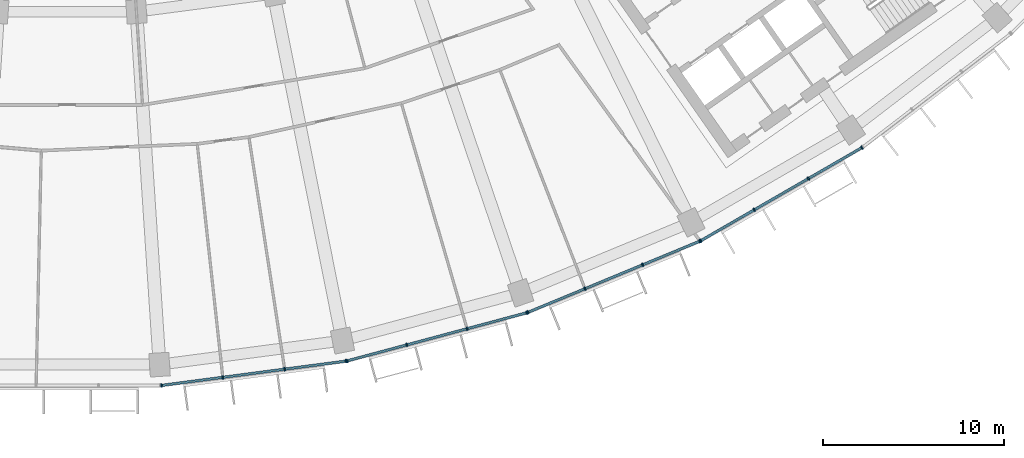
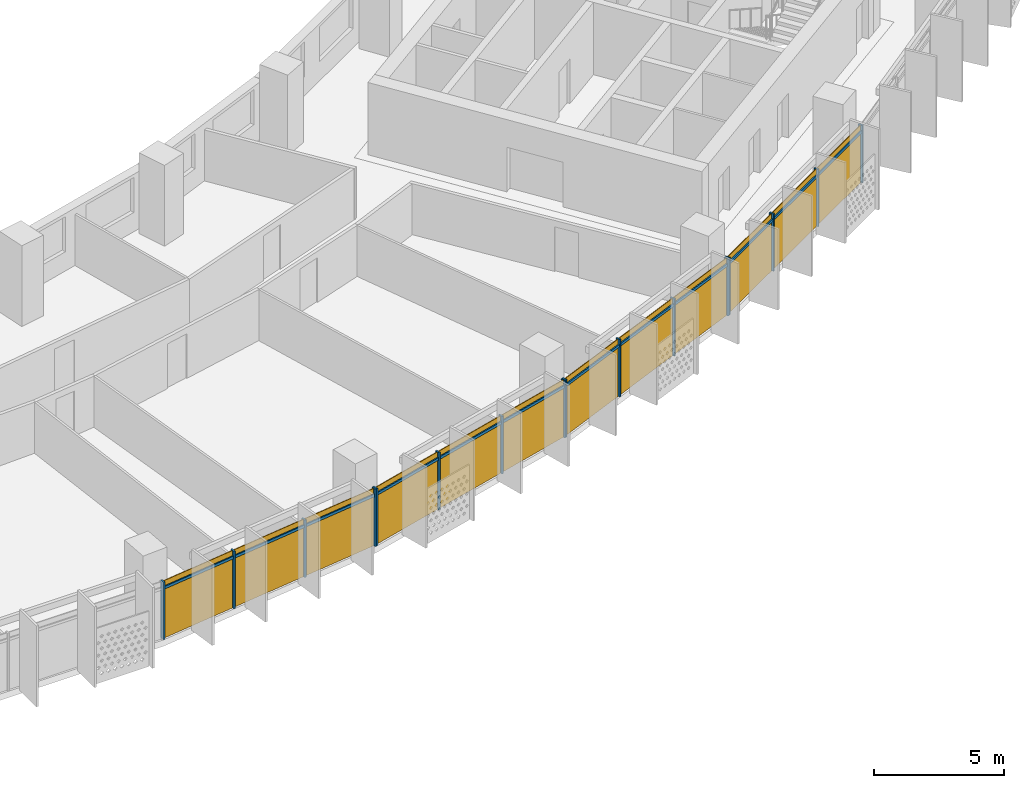
# One storey, part 19 of 27: 28 members, 4 curtain walls.
"""IFC4 building model written with IfcOpenShell, lengths in metres."""

from ifc_helpers import new_model, si_unit, direction, frame, origin, origin_2d, place, context, subcontext, project, spatial, rectangle, extrude, material, material_profile, profile_set, type_object, element, aggregate, save


model = new_model("IFC4")

# Units and contexts
model_context = context("Model", 3, precision=1e-05, world=origin(), true_north=direction((0.0, 1.0)))
body_context = subcontext(model_context, "Body", "Model", "MODEL_VIEW")
ifc_project = project(units=[si_unit("LENGTHUNIT", "METRE"), si_unit("AREAUNIT", "SQUARE_METRE"), si_unit("VOLUMEUNIT", "CUBIC_METRE"), si_unit("PLANEANGLEUNIT", "RADIAN"), si_unit("MASSUNIT", "GRAM", prefix="KILO")], contexts=[model_context])

# Member
ifc_material = material(Name="Aluminium 6063-T6 anodised", Category="aluminium")
ifc_material_profile_1 = material_profile(ifc_material, rectangle(XDim=0.199951171875, YDim=0.070068359375, at=origin_2d()))
ifc_profile_set_1 = profile_set([ifc_material_profile_1], Name="Aluminium 6063-T6 anodised")
member_type_1 = type_object("IfcMemberType", Name="Mullion 70 x 200 aluminium", PredefinedType="MULLION", material=ifc_profile_set_1)
site_placement = place(None, origin())
building_placement = place(site_placement, origin())
storey_placement = place(building_placement, frame((0.0, 0.0, 194.89990234375)))
member_1_placement = place(storey_placement, frame((5.1884765625, -78.72705078125, 0.0), z_axis=(0.0, 0.0, 1.0), x_axis=(-0.13052619222, 0.991444861374, 0.0)))
member_1 = element("IfcMember", 1, at=member_1_placement, type_object=member_type_1, Name="e-cw1-L46-out08/M00", PredefinedType="MULLION", context=body_context, shape_type="SweptSolid", body=[
    extrude(rectangle(XDim=0.199951171875, YDim=0.070068359375, at=origin_2d()), origin(), (0.0, 0.0, 1.0), 2.7001953125),
])

member_2_placement = place(storey_placement, frame((8.56884765625, -78.2822265625, 0.0), z_axis=(0.0, 0.0, 1.0), x_axis=(-0.13052619222, 0.991444861374, 0.0)))
member_2 = element("IfcMember", 2, at=member_2_placement, type_object=member_type_1, Name="e-cw1-L46-out08/M01", PredefinedType="MULLION", context=body_context, shape_type="SweptSolid", body=[
    extrude(rectangle(XDim=0.199951171875, YDim=0.070068359375, at=origin_2d()), origin(), (0.0, 0.0, 1.0), 2.7001953125),
])

member_3_placement = place(storey_placement, frame((11.98388671875, -77.83251953125, 0.0), z_axis=(0.0, 0.0, 1.0), x_axis=(-0.13052619222, 0.991444861374, 0.0)))
member_3 = element("IfcMember", 3, at=member_3_placement, type_object=member_type_1, Name="e-cw1-L46-out08/M02", PredefinedType="MULLION", context=body_context, shape_type="SweptSolid", body=[
    extrude(rectangle(XDim=0.199951171875, YDim=0.070068359375, at=origin_2d()), origin(), (0.0, 0.0, 1.0), 2.7001953125),
])

member_4_placement = place(storey_placement, frame((15.364501953125, -77.387451171875, 0.0), z_axis=(0.0, 0.0, 1.0), x_axis=(-0.13052619222, 0.991444861374, 0.0)))
member_4 = element("IfcMember", 4, at=member_4_placement, type_object=member_type_1, Name="e-cw1-L46-out08/M03", PredefinedType="MULLION", context=body_context, shape_type="SweptSolid", body=[
    extrude(rectangle(XDim=0.199951171875, YDim=0.070068359375, at=origin_2d()), origin(), (0.0, 0.0, 1.0), 2.7001953125),
])

member_5_placement = place(storey_placement, frame((15.420166015625, -77.37646484375, 0.0), z_axis=(0.0, 0.0, 1.0), x_axis=(-0.258819045103, 0.965925826289, 0.0)))
member_5 = element("IfcMember", 5, at=member_5_placement, type_object=member_type_1, Name="e-cw1-L46-out09/M00", PredefinedType="MULLION", context=body_context, shape_type="SweptSolid", body=[
    extrude(rectangle(XDim=0.199951171875, YDim=0.070068359375, at=origin_2d()), origin(), (0.0, 0.0, 1.0), 2.7001953125),
])

member_6_placement = place(storey_placement, frame((18.71337890625, -76.493896484375, 0.0), z_axis=(0.0, 0.0, 1.0), x_axis=(-0.258819045103, 0.965925826289, 0.0)))
member_6 = element("IfcMember", 6, at=member_6_placement, type_object=member_type_1, Name="e-cw1-L46-out09/M01", PredefinedType="MULLION", context=body_context, shape_type="SweptSolid", body=[
    extrude(rectangle(XDim=0.199951171875, YDim=0.070068359375, at=origin_2d()), origin(), (0.0, 0.0, 1.0), 2.7001953125),
])

member_7_placement = place(storey_placement, frame((22.04052734375, -75.602294921875, 0.0), z_axis=(0.0, 0.0, 1.0), x_axis=(-0.258819045103, 0.965925826289, 0.0)))
member_7 = element("IfcMember", 7, at=member_7_placement, type_object=member_type_1, Name="e-cw1-L46-out09/M02", PredefinedType="MULLION", context=body_context, shape_type="SweptSolid", body=[
    extrude(rectangle(XDim=0.199951171875, YDim=0.070068359375, at=origin_2d()), origin(), (0.0, 0.0, 1.0), 2.7001953125),
])

member_8_placement = place(storey_placement, frame((25.333984375, -74.719970703125, 0.0), z_axis=(0.0, 0.0, 1.0), x_axis=(-0.258819045103, 0.965925826289, 0.0)))
member_8 = element("IfcMember", 8, at=member_8_placement, type_object=member_type_1, Name="e-cw1-L46-out09/M03", PredefinedType="MULLION", context=body_context, shape_type="SweptSolid", body=[
    extrude(rectangle(XDim=0.199951171875, YDim=0.070068359375, at=origin_2d()), origin(), (0.0, 0.0, 1.0), 2.7001953125),
])

member_9_placement = place(storey_placement, frame((25.3876953125, -74.70166015625, 0.0), z_axis=(0.0, 0.0, 1.0), x_axis=(-0.382683432365, 0.923879532511, 0.0)))
member_9 = element("IfcMember", 9, at=member_9_placement, type_object=member_type_1, Name="e-cw1-L46-out10/M00", PredefinedType="MULLION", context=body_context, shape_type="SweptSolid", body=[
    extrude(rectangle(XDim=0.199951171875, YDim=0.070068359375, at=origin_2d()), origin(), (0.0, 0.0, 1.0), 2.7001953125),
])

member_10_placement = place(storey_placement, frame((28.537841796875, -73.39697265625, 0.0), z_axis=(0.0, 0.0, 1.0), x_axis=(-0.382683432365, 0.923879532511, 0.0)))
member_10 = element("IfcMember", 10, at=member_10_placement, type_object=member_type_1, Name="e-cw1-L46-out10/M01", PredefinedType="MULLION", context=body_context, shape_type="SweptSolid", body=[
    extrude(rectangle(XDim=0.199951171875, YDim=0.070068359375, at=origin_2d()), origin(), (0.0, 0.0, 1.0), 2.7001953125),
])

member_11_placement = place(storey_placement, frame((31.72021484375, -72.078857421875, 0.0), z_axis=(0.0, 0.0, 1.0), x_axis=(-0.382683432365, 0.923879532511, 0.0)))
member_11 = element("IfcMember", 11, at=member_11_placement, type_object=member_type_1, Name="e-cw1-L46-out10/M02", PredefinedType="MULLION", context=body_context, shape_type="SweptSolid", body=[
    extrude(rectangle(XDim=0.199951171875, YDim=0.070068359375, at=origin_2d()), origin(), (0.0, 0.0, 1.0), 2.7001953125),
])

member_12_placement = place(storey_placement, frame((34.8701171875, -70.77392578125, 0.0), z_axis=(0.0, 0.0, 1.0), x_axis=(-0.382683432365, 0.923879532511, 0.0)))
member_12 = element("IfcMember", 12, at=member_12_placement, type_object=member_type_1, Name="e-cw1-L46-out10/M03", PredefinedType="MULLION", context=body_context, shape_type="SweptSolid", body=[
    extrude(rectangle(XDim=0.199951171875, YDim=0.070068359375, at=origin_2d()), origin(), (0.0, 0.0, 1.0), 2.7001953125),
])

member_13_placement = place(storey_placement, frame((34.921142578125, -70.748779296875, 0.0), z_axis=(0.0, 0.0, 1.0), x_axis=(-0.5, 0.866025403784, 0.0)))
member_13 = element("IfcMember", 13, at=member_13_placement, type_object=member_type_1, Name="e-cw1-L46-out11/M00", PredefinedType="MULLION", context=body_context, shape_type="SweptSolid", body=[
    extrude(rectangle(XDim=0.199951171875, YDim=0.070068359375, at=origin_2d()), origin(), (0.0, 0.0, 1.0), 2.7001953125),
])

member_14_placement = place(storey_placement, frame((37.873779296875, -69.0439453125, 0.0), z_axis=(0.0, 0.0, 1.0), x_axis=(-0.5, 0.866025403784, 0.0)))
member_14 = element("IfcMember", 14, at=member_14_placement, type_object=member_type_1, Name="e-cw1-L46-out11/M01", PredefinedType="MULLION", context=body_context, shape_type="SweptSolid", body=[
    extrude(rectangle(XDim=0.199951171875, YDim=0.070068359375, at=origin_2d()), origin(), (0.0, 0.0, 1.0), 2.7001953125),
])

member_15_placement = place(storey_placement, frame((40.85693359375, -67.32177734375, 0.0), z_axis=(0.0, 0.0, 1.0), x_axis=(-0.5, 0.866025403784, 0.0)))
member_15 = element("IfcMember", 15, at=member_15_placement, type_object=member_type_1, Name="e-cw1-L46-out11/M02", PredefinedType="MULLION", context=body_context, shape_type="SweptSolid", body=[
    extrude(rectangle(XDim=0.199951171875, YDim=0.070068359375, at=origin_2d()), origin(), (0.0, 0.0, 1.0), 2.7001953125),
])

member_16_placement = place(storey_placement, frame((43.809814453125, -65.616943359375, 0.0), z_axis=(0.0, 0.0, 1.0), x_axis=(-0.5, 0.866025403784, 0.0)))
member_16 = element("IfcMember", 16, at=member_16_placement, type_object=member_type_1, Name="e-cw1-L46-out11/M03", PredefinedType="MULLION", context=body_context, shape_type="SweptSolid", body=[
    extrude(rectangle(XDim=0.199951171875, YDim=0.070068359375, at=origin_2d()), origin(), (0.0, 0.0, 1.0), 2.7001953125),
])

ifc_material_profile_2 = material_profile(ifc_material, rectangle(XDim=0.139892578125, YDim=0.1201171875, at=origin_2d()))
ifc_profile_set_2 = profile_set([ifc_material_profile_2], Name="Aluminium 6063-T6 anodised")
member_type_2 = type_object("IfcMemberType", Name="Transom 120 x 140 aluminium", PredefinedType="USERDEFINED", material=ifc_profile_set_2)
member_17_placement = place(storey_placement, frame((5.22314453125, -78.72265625, 2.400146484375), z_axis=(0.991439857731, 0.130564193033, 0.0), x_axis=(-0.130564193033, 0.991439857731, 0.0)))
member_17 = element("IfcMember", 17, at=member_17_placement, type_object=member_type_2, Name="e-cw1-L46-out08/T00", ObjectType="TRANSOM", PredefinedType="USERDEFINED", context=body_context, shape_type="SweptSolid", body=[
    extrude(rectangle(XDim=0.139892578125, YDim=0.1201171875, at=origin_2d()), origin(), (0.0, 0.0, 1.0), 3.339599609375),
])

member_18_placement = place(storey_placement, frame((8.603515625, -78.277587890625, 2.400146484375), z_axis=(0.991446413845, 0.130514399487, 0.0), x_axis=(-0.130514399487, 0.991446413845, 0.0)))
member_18 = element("IfcMember", 18, at=member_18_placement, type_object=member_type_2, Name="e-cw1-L46-out08/T01", ObjectType="TRANSOM", PredefinedType="USERDEFINED", context=body_context, shape_type="SweptSolid", body=[
    extrude(rectangle(XDim=0.139892578125, YDim=0.1201171875, at=origin_2d()), origin(), (0.0, 0.0, 1.0), 3.37451171875),
])

member_19_placement = place(storey_placement, frame((12.018798828125, -77.827880859375, 2.400146484375), z_axis=(0.991448073325, 0.130501792706, 0.0), x_axis=(-0.130501792706, 0.991448073325, 0.0)))
member_19 = element("IfcMember", 19, at=member_19_placement, type_object=member_type_2, Name="e-cw1-L46-out08/T02", ObjectType="TRANSOM", PredefinedType="USERDEFINED", context=body_context, shape_type="SweptSolid", body=[
    extrude(rectangle(XDim=0.139892578125, YDim=0.1201171875, at=origin_2d()), origin(), (0.0, 0.0, 1.0), 3.33935546875),
])

member_20_placement = place(storey_placement, frame((15.453857421875, -77.367431640625, 2.400146484375), z_axis=(0.96591509168, 0.258859103886, 0.0), x_axis=(-0.258859103886, 0.96591509168, 0.0)))
member_20 = element("IfcMember", 20, at=member_20_placement, type_object=member_type_2, Name="e-cw1-L46-out09/T00", ObjectType="TRANSOM", PredefinedType="USERDEFINED", context=body_context, shape_type="SweptSolid", body=[
    extrude(rectangle(XDim=0.139892578125, YDim=0.1201171875, at=origin_2d()), origin(), (0.0, 0.0, 1.0), 3.339599609375),
])

member_21_placement = place(storey_placement, frame((18.747314453125, -76.48486328125, 2.400146484375), z_axis=(0.965932873966, 0.258792741381, 0.0), x_axis=(-0.258792741381, 0.965932873966, 0.0)))
member_21 = element("IfcMember", 21, at=member_21_placement, type_object=member_type_2, Name="e-cw1-L46-out09/T01", ObjectType="TRANSOM", PredefinedType="USERDEFINED", context=body_context, shape_type="SweptSolid", body=[
    extrude(rectangle(XDim=0.139892578125, YDim=0.1201171875, at=origin_2d()), origin(), (0.0, 0.0, 1.0), 3.37451171875),
])

member_22_placement = place(storey_placement, frame((22.074462890625, -75.59326171875, 2.400146484375), z_axis=(0.965933368091, 0.258790897074, 0.0), x_axis=(-0.258790897074, 0.965933368091, 0.0)))
member_22 = element("IfcMember", 22, at=member_22_placement, type_object=member_type_2, Name="e-cw1-L46-out09/T02", ObjectType="TRANSOM", PredefinedType="USERDEFINED", context=body_context, shape_type="SweptSolid", body=[
    extrude(rectangle(XDim=0.139892578125, YDim=0.1201171875, at=origin_2d()), origin(), (0.0, 0.0, 1.0), 3.339599609375),
])

member_23_placement = place(storey_placement, frame((25.420166015625, -74.688232421875, 2.400146484375), z_axis=(0.923890305385, 0.382657423311, 0.0), x_axis=(-0.382657423311, 0.923890305385, 0.0)))
member_23 = element("IfcMember", 23, at=member_23_placement, type_object=member_type_2, Name="e-cw1-L46-out10/T00", ObjectType="TRANSOM", PredefinedType="USERDEFINED", context=body_context, shape_type="SweptSolid", body=[
    extrude(rectangle(XDim=0.139892578125, YDim=0.1201171875, at=origin_2d()), origin(), (0.0, 0.0, 1.0), 3.33935546875),
])

member_24_placement = place(storey_placement, frame((28.570068359375, -73.383544921875, 2.400146484375), z_axis=(0.923866926753, 0.382713863941, 0.0), x_axis=(-0.382713863941, 0.923866926753, 0.0)))
member_24 = element("IfcMember", 24, at=member_24_placement, type_object=member_type_2, Name="e-cw1-L46-out10/T01", ObjectType="TRANSOM", PredefinedType="USERDEFINED", context=body_context, shape_type="SweptSolid", body=[
    extrude(rectangle(XDim=0.139892578125, YDim=0.1201171875, at=origin_2d()), origin(), (0.0, 0.0, 1.0), 3.37451171875),
])

member_25_placement = place(storey_placement, frame((31.75244140625, -72.0654296875, 2.400146484375), z_axis=(0.923875164544, 0.382693977401, 0.0), x_axis=(-0.382693977401, 0.923875164544, 0.0)))
member_25 = element("IfcMember", 25, at=member_25_placement, type_object=member_type_2, Name="e-cw1-L46-out10/T02", ObjectType="TRANSOM", PredefinedType="USERDEFINED", context=body_context, shape_type="SweptSolid", body=[
    extrude(rectangle(XDim=0.139892578125, YDim=0.1201171875, at=origin_2d()), origin(), (0.0, 0.0, 1.0), 3.339599609375),
])

member_26_placement = place(storey_placement, frame((34.951416015625, -70.7314453125, 2.400146484375), z_axis=(0.866002968352, 0.500038857296, 0.0), x_axis=(-0.500038857296, 0.866002968352, 0.0)))
member_26 = element("IfcMember", 26, at=member_26_placement, type_object=member_type_2, Name="e-cw1-L46-out11/T00", ObjectType="TRANSOM", PredefinedType="USERDEFINED", context=body_context, shape_type="SweptSolid", body=[
    extrude(rectangle(XDim=0.139892578125, YDim=0.1201171875, at=origin_2d()), origin(), (0.0, 0.0, 1.0), 3.339599609375),
])

member_27_placement = place(storey_placement, frame((37.904296875, -69.026611328125, 2.400146484375), z_axis=(0.86602172966, 0.500006363716, 0.0), x_axis=(-0.500006363716, 0.86602172966, 0.0)))
member_27 = element("IfcMember", 27, at=member_27_placement, type_object=member_type_2, Name="e-cw1-L46-out11/T01", ObjectType="TRANSOM", PredefinedType="USERDEFINED", context=body_context, shape_type="SweptSolid", body=[
    extrude(rectangle(XDim=0.139892578125, YDim=0.1201171875, at=origin_2d()), origin(), (0.0, 0.0, 1.0), 3.37451171875),
])

member_28_placement = place(storey_placement, frame((40.88720703125, -67.30419921875, 2.400146484375), z_axis=(0.866052898888, 0.49995237406, 0.0), x_axis=(-0.49995237406, 0.866052898888, 0.0)))
member_28 = element("IfcMember", 28, at=member_28_placement, type_object=member_type_2, Name="e-cw1-L46-out11/T02", ObjectType="TRANSOM", PredefinedType="USERDEFINED", context=body_context, shape_type="SweptSolid", body=[
    extrude(rectangle(XDim=0.139892578125, YDim=0.1201171875, at=origin_2d()), origin(), (0.0, 0.0, 1.0), 3.339599609375),
])

# Site, building, storey
site = spatial("IfcSite", under=ifc_project, at=site_placement, CompositionType="ELEMENT")
building = spatial("IfcBuilding", under=site, at=building_placement, Name="Qamariyya Broadcast Tower", CompositionType="ELEMENT")
storey = spatial("IfcBuildingStorey", under=building, at=storey_placement, Name="L46", CompositionType="ELEMENT", Elevation=194.89990234375)

# Curtain wall
curtain_wall_type = type_object("IfcCurtainWallType", Name="Unitised curtain wall, anodised aluminium", PredefinedType="NOTDEFINED", material=ifc_material)
curtain_wall_1_placement = place(storey_placement, origin())
curtain_wall_1 = element("IfcCurtainWall", 29, at=curtain_wall_1_placement, inside=storey, type_object=curtain_wall_type, Name="e-cw1-L46-out08", PredefinedType="NOTDEFINED", context=body_context, shape_type="SweptSolid", body=[
    extrude(rectangle(XDim=3.339599609375, YDim=0.031982421875, at=origin_2d()), frame((6.878662109375, -78.504638671875, 0.0), x_axis=(0.991444240905, 0.130530905064, 0.0)), (0.0, 0.0, 1.0), 2.340087890625),
    extrude(rectangle(XDim=3.339599609375, YDim=0.031982421875, at=origin_2d()), frame((6.878662109375, -78.504638671875, 2.460205078125), x_axis=(0.991444240905, 0.130530905064, 0.0)), (0.0, 0.0, 1.0), 0.239990234375),
    extrude(rectangle(XDim=3.37451171875, YDim=0.031982421875, at=origin_2d()), frame((10.2763671875, -78.05712890625, 0.0), x_axis=(0.991444240905, 0.130530905064, 0.0)), (0.0, 0.0, 1.0), 2.340087890625),
    extrude(rectangle(XDim=3.37451171875, YDim=0.031982421875, at=origin_2d()), frame((10.2763671875, -78.05712890625, 2.460205078125), x_axis=(0.991444240905, 0.130530905064, 0.0)), (0.0, 0.0, 1.0), 0.239990234375),
    extrude(rectangle(XDim=3.339599609375, YDim=0.031982421875, at=origin_2d()), frame((13.67431640625, -77.60986328125, 0.0), x_axis=(0.991444240905, 0.130530905064, 0.0)), (0.0, 0.0, 1.0), 2.340087890625),
    extrude(rectangle(XDim=3.339599609375, YDim=0.031982421875, at=origin_2d()), frame((13.67431640625, -77.60986328125, 2.460205078125), x_axis=(0.991444240905, 0.130530905064, 0.0)), (0.0, 0.0, 1.0), 0.239990234375),
])

aggregate(curtain_wall_1, [member_1, member_2, member_3, member_4, member_17, member_18, member_19])

curtain_wall_2_placement = place(storey_placement, origin())
curtain_wall_2 = element("IfcCurtainWall", 30, at=curtain_wall_2_placement, inside=storey, type_object=curtain_wall_type, Name="e-cw1-L46-out09", PredefinedType="NOTDEFINED", context=body_context, shape_type="SweptSolid", body=[
    extrude(rectangle(XDim=3.339599609375, YDim=0.031982421875, at=origin_2d()), frame((17.066650390625, -76.935302734375, 0.0), x_axis=(0.965926433062, 0.258816780584, 0.0)), (0.0, 0.0, 1.0), 2.340087890625),
    extrude(rectangle(XDim=3.339599609375, YDim=0.031982421875, at=origin_2d()), frame((17.066650390625, -76.935302734375, 2.460205078125), x_axis=(0.965926433062, 0.258816780584, 0.0)), (0.0, 0.0, 1.0), 0.239990234375),
    extrude(rectangle(XDim=3.37451171875, YDim=0.031982421875, at=origin_2d()), frame((20.376953125, -76.04833984375, 0.0), x_axis=(0.965926433062, 0.258816780584, 0.0)), (0.0, 0.0, 1.0), 2.340087890625),
    extrude(rectangle(XDim=3.37451171875, YDim=0.031982421875, at=origin_2d()), frame((20.376953125, -76.04833984375, 2.460205078125), x_axis=(0.965926433062, 0.258816780584, 0.0)), (0.0, 0.0, 1.0), 0.239990234375),
    extrude(rectangle(XDim=3.339599609375, YDim=0.031982421875, at=origin_2d()), frame((23.6875, -75.1611328125, 0.0), x_axis=(0.965926433062, 0.258816780584, 0.0)), (0.0, 0.0, 1.0), 2.340087890625),
    extrude(rectangle(XDim=3.339599609375, YDim=0.031982421875, at=origin_2d()), frame((23.6875, -75.1611328125, 2.460205078125), x_axis=(0.965926433062, 0.258816780584, 0.0)), (0.0, 0.0, 1.0), 0.239990234375),
])

aggregate(curtain_wall_2, [member_5, member_6, member_7, member_8, member_20, member_21, member_22])

curtain_wall_3_placement = place(storey_placement, origin())
curtain_wall_3 = element("IfcCurtainWall", 31, at=curtain_wall_3_placement, inside=storey, type_object=curtain_wall_type, Name="e-cw1-L46-out10", PredefinedType="NOTDEFINED", context=body_context, shape_type="SweptSolid", body=[
    extrude(rectangle(XDim=3.339599609375, YDim=0.031982421875, at=origin_2d()), frame((26.962890625, -74.04931640625, 0.0), x_axis=(0.923878040314, 0.382687034829, 0.0)), (0.0, 0.0, 1.0), 2.340087890625),
    extrude(rectangle(XDim=3.339599609375, YDim=0.031982421875, at=origin_2d()), frame((26.962890625, -74.04931640625, 2.460205078125), x_axis=(0.923878040314, 0.382687034829, 0.0)), (0.0, 0.0, 1.0), 0.239990234375),
    extrude(rectangle(XDim=3.37451171875, YDim=0.031982421875, at=origin_2d()), frame((30.12890625, -72.73779296875, 0.0), x_axis=(0.923878040314, 0.382687034829, 0.0)), (0.0, 0.0, 1.0), 2.340087890625),
    extrude(rectangle(XDim=3.37451171875, YDim=0.031982421875, at=origin_2d()), frame((30.12890625, -72.73779296875, 2.460205078125), x_axis=(0.923878040314, 0.382687034829, 0.0)), (0.0, 0.0, 1.0), 0.239990234375),
    extrude(rectangle(XDim=3.339599609375, YDim=0.031982421875, at=origin_2d()), frame((33.295166015625, -71.42626953125, 0.0), x_axis=(0.923878040314, 0.382687034829, 0.0)), (0.0, 0.0, 1.0), 2.340087890625),
    extrude(rectangle(XDim=3.339599609375, YDim=0.031982421875, at=origin_2d()), frame((33.295166015625, -71.42626953125, 2.460205078125), x_axis=(0.923878040314, 0.382687034829, 0.0)), (0.0, 0.0, 1.0), 0.239990234375),
])

aggregate(curtain_wall_3, [member_9, member_10, member_11, member_12, member_23, member_24, member_25])

curtain_wall_4_placement = place(storey_placement, origin())
curtain_wall_4 = element("IfcCurtainWall", 32, at=curtain_wall_4_placement, inside=storey, type_object=curtain_wall_type, Name="e-cw1-L46-out11", PredefinedType="NOTDEFINED", context=body_context, shape_type="SweptSolid", body=[
    extrude(rectangle(XDim=3.339599609375, YDim=0.031982421875, at=origin_2d()), frame((36.3974609375, -69.896484375, 0.0), x_axis=(0.866028999376, 0.499993772201, 0.0)), (0.0, 0.0, 1.0), 2.340087890625),
    extrude(rectangle(XDim=3.339599609375, YDim=0.031982421875, at=origin_2d()), frame((36.3974609375, -69.896484375, 2.460205078125), x_axis=(0.866028999376, 0.499993772201, 0.0)), (0.0, 0.0, 1.0), 0.239990234375),
    extrude(rectangle(XDim=3.37451171875, YDim=0.031982421875, at=origin_2d()), frame((39.365478515625, -68.18310546875, 0.0), x_axis=(0.866028999376, 0.499993772201, 0.0)), (0.0, 0.0, 1.0), 2.340087890625),
    extrude(rectangle(XDim=3.37451171875, YDim=0.031982421875, at=origin_2d()), frame((39.365478515625, -68.18310546875, 2.460205078125), x_axis=(0.866028999376, 0.499993772201, 0.0)), (0.0, 0.0, 1.0), 0.239990234375),
    extrude(rectangle(XDim=3.339599609375, YDim=0.031982421875, at=origin_2d()), frame((42.33349609375, -66.469482421875, 0.0), x_axis=(0.866028999376, 0.499993772201, 0.0)), (0.0, 0.0, 1.0), 2.340087890625),
    extrude(rectangle(XDim=3.339599609375, YDim=0.031982421875, at=origin_2d()), frame((42.33349609375, -66.469482421875, 2.460205078125), x_axis=(0.866028999376, 0.499993772201, 0.0)), (0.0, 0.0, 1.0), 0.239990234375),
])

aggregate(curtain_wall_4, [member_13, member_14, member_15, member_16, member_26, member_27, member_28])

save(model, "model.ifc")
